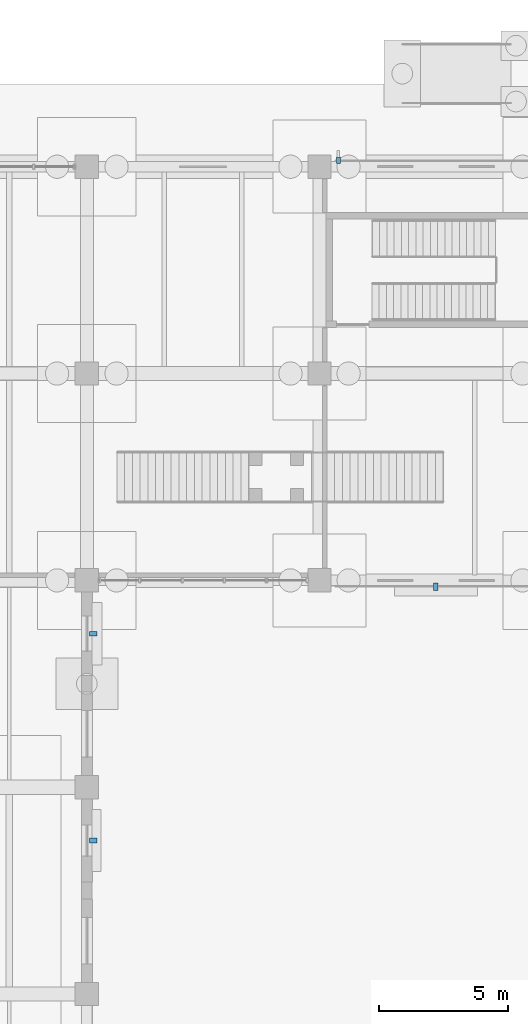
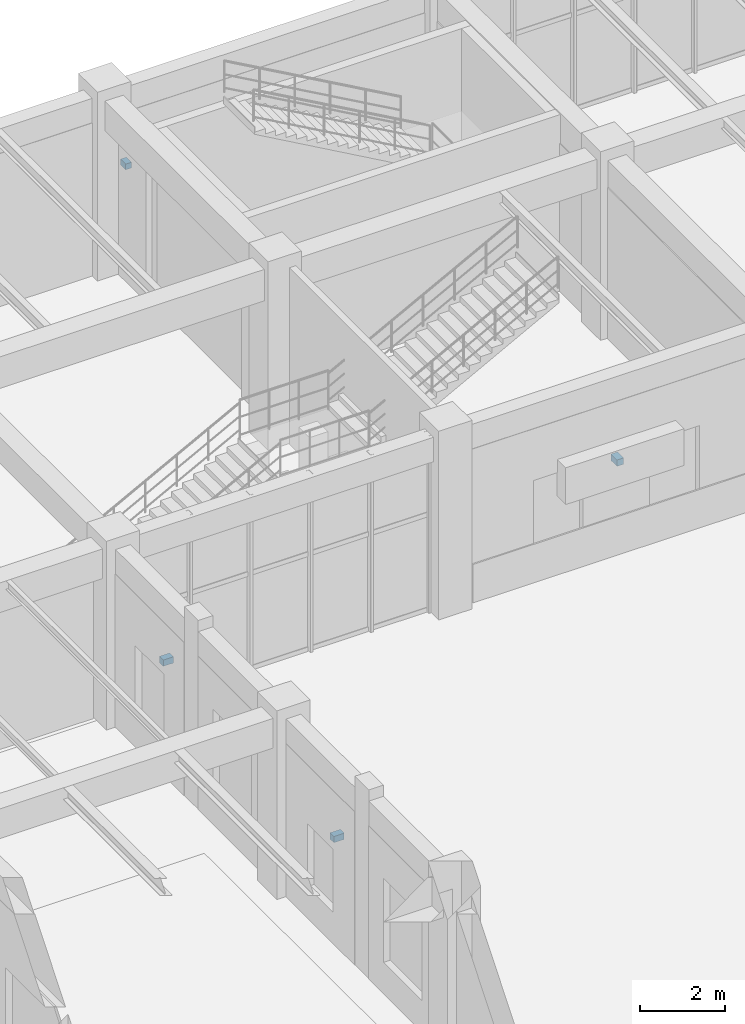
# One storey, part 107 of 121: 4 discrete accessories.
"""IFC4 building model written with IfcOpenShell, lengths in metres."""

from ifc_helpers import new_model, si_unit, derived_unit, direction, frame, origin, origin_2d, place, context, subcontext, project, spatial, rectangle, extrude, material, type_object, element, save


model = new_model("IFC4")

# Units and contexts
model_context = context("Model", 3, precision=1e-05, world=origin(), true_north=direction((0.0, 1.0)))
body_context = subcontext(model_context, "Body", "Model", "MODEL_VIEW")
ifc_project = project(units=[si_unit("LENGTHUNIT", "METRE"), si_unit("AREAUNIT", "SQUARE_METRE"), si_unit("VOLUMEUNIT", "CUBIC_METRE"), si_unit("PLANEANGLEUNIT", "RADIAN"), si_unit("MASSUNIT", "GRAM", prefix="KILO"), derived_unit("THERMALTRANSMITTANCEUNIT", [(si_unit("MASSUNIT", "GRAM", prefix="KILO"), 1), (si_unit("TIMEUNIT", "SECOND"), -3), (si_unit("THERMODYNAMICTEMPERATUREUNIT", "KELVIN"), -1)])], contexts=[model_context])

# Site, building, storey
site_placement = place(None, origin())
site = spatial("IfcSite", under=ifc_project, at=site_placement, CompositionType="ELEMENT")
building_placement = place(site_placement, origin())
building = spatial("IfcBuilding", under=site, at=building_placement, Name="Zhenchuan Archway Interchange", CompositionType="ELEMENT")
storey_placement = place(building_placement, origin())
storey = spatial("IfcBuildingStorey", under=building, at=storey_placement, Name="L00", CompositionType="ELEMENT", Elevation=0.0)

# Discrete accessories
ifc_material = material(Name="Stainless Steel 316", Category="steel")
discrete_accessory_type_1 = type_object("IfcDiscreteAccessoryType", Name="BRK_SHD_1", PredefinedType="BRACKET", material=ifc_material)
discrete_accessory_placement = place(storey_placement, frame((117.72802734375, 104.25, 2.4501953125), z_axis=(0.0, 0.0, 1.0), x_axis=(1.0, 0.0, 0.0)))
element("IfcDiscreteAccessory", 1, at=discrete_accessory_placement, inside=storey, type_object=discrete_accessory_type_1, Name="Solar fin stainless fixing bracket L00-012", PredefinedType="BRACKET", context=body_context, shape_type="SweptSolid", body=[
    extrude(rectangle(XDim=0.159912109375, YDim=0.239990234375, at=origin_2d()), origin(), (0.0, 0.0, 1.0), 0.159912109375),
])
discrete_accessory_type_2 = type_object("IfcDiscreteAccessoryType", Name="BRK_SHD_2", PredefinedType="BRACKET", material=ifc_material)
for number, where, z_axis, x_axis, name in (
    (2, (121.5, 87.75, 2.66015625), (0.0, 0.0, 1.0), (-1.0, 0.0, 0.0), "Storm-louvre stainless fixing bracket L00-023"),
    (3, (108.25, 85.9375, 2.66015625), (0.0, 0.0, 1.0), (0.0, -1.0, 0.0), "Storm-louvre stainless fixing bracket L00-024"),
    (4, (108.25, 77.9375, 2.4599609375), (0.0, 0.0, 1.0), (0.0, -1.0, 0.0), "Storm-louvre stainless fixing bracket L00-025"),
):
    element("IfcDiscreteAccessory", number, at=place(storey_placement, frame(where, z_axis=z_axis, x_axis=x_axis)), inside=storey, type_object=discrete_accessory_type_2, Name=name, PredefinedType="BRACKET", context=body_context, shape_type="SweptSolid", body=[
        extrude(rectangle(XDim=0.179931640625, YDim=0.280029296875, at=origin_2d()), origin(), (0.0, 0.0, 1.0), 0.179931640625),
    ])

save(model, "model.ifc")
